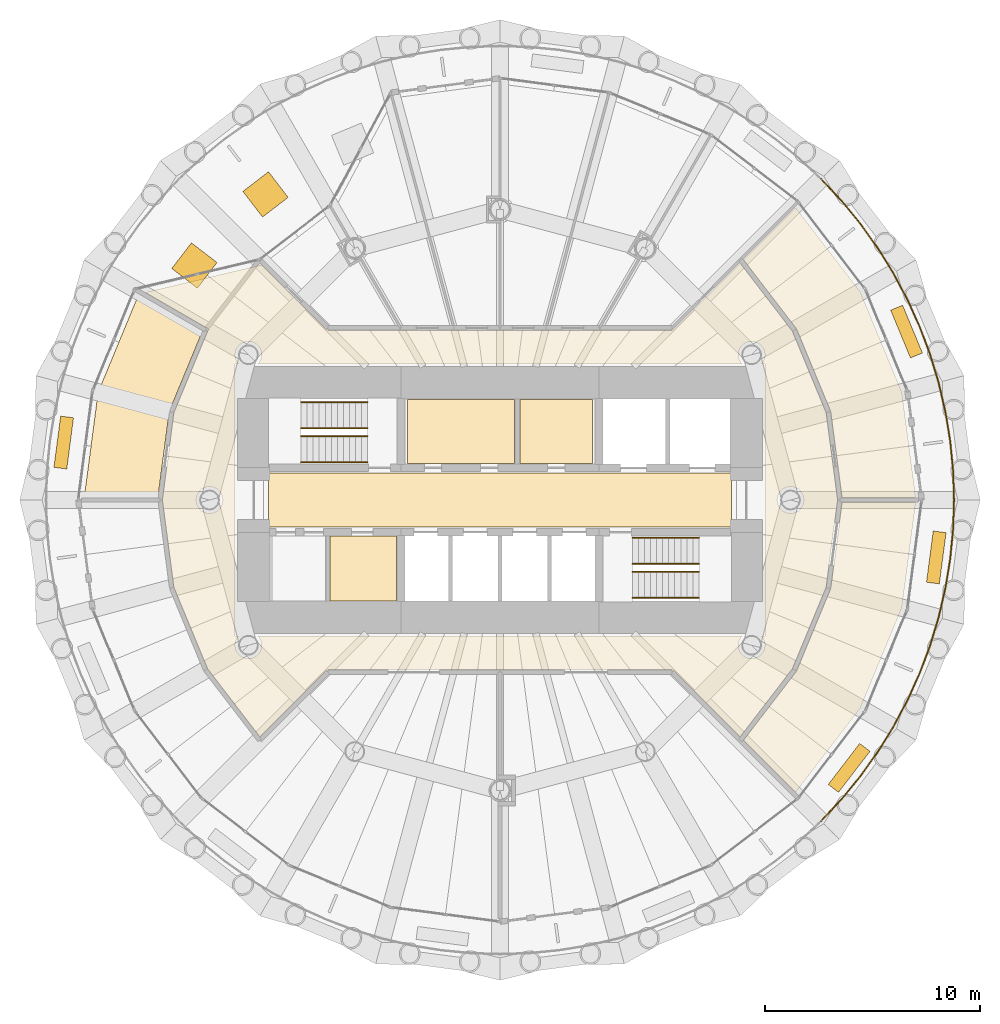
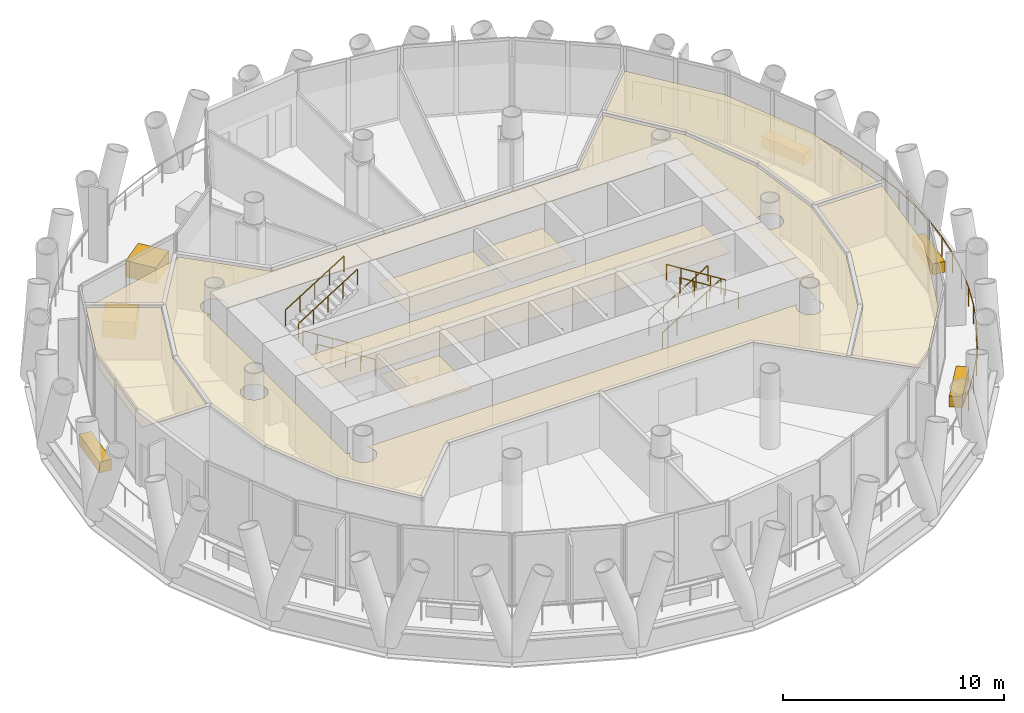
# One storey, part 13 of 14: 14 coverings, 9 railings.
"""IFC4 building model written with IfcOpenShell, lengths in metres."""

from ifc_helpers import new_model, si_unit, direction, frame, origin, origin_2d, place, context, subcontext, project, spatial, polyline, rectangle, circle, outline, extrude, material, layer, layer_set, type_object, element, save


model = new_model("IFC4")

# Units and contexts
model_context = context("Model", 3, precision=1e-05, world=origin(), true_north=direction((0.0, 1.0)))
body_context = subcontext(model_context, "Body", "Model", "MODEL_VIEW")
ifc_project = project(units=[si_unit("LENGTHUNIT", "METRE"), si_unit("AREAUNIT", "SQUARE_METRE"), si_unit("VOLUMEUNIT", "CUBIC_METRE"), si_unit("PLANEANGLEUNIT", "RADIAN"), si_unit("MASSUNIT", "GRAM", prefix="KILO")], contexts=[model_context])

# Site, building, storey
site_placement = place(None, origin())
site = spatial("IfcSite", under=ifc_project, at=site_placement, CompositionType="ELEMENT")
building_placement = place(site_placement, origin())
building = spatial("IfcBuilding", under=site, at=building_placement, Name="Qaws Media Tower", CompositionType="ELEMENT")
storey_placement = place(building_placement, frame((0.0, 0.0, 261.199951171875)))
storey = spatial("IfcBuildingStorey", under=building, at=storey_placement, Name="L60", CompositionType="ELEMENT", Elevation=261.199951171875)

# Covering
ifc_material_1 = material(Name="40 perforated acoustic panels with mineral wool backing, suspended", Category="mineral fibre")
ifc_layer_1 = layer(ifc_material_1, 0.0400390625)
ifc_layer_set_1 = layer_set([ifc_layer_1], Name="Acoustic panel ceiling 40")
covering_type_1 = type_object("IfcCoveringType", Name="Acoustic panel ceiling 40", PredefinedType="CEILING", material=ifc_layer_set_1)
covering_1_placement = place(storey_placement, frame((0.0, 0.0, 2.85009765625)))
element("IfcCovering", 1, at=covering_1_placement, inside=storey, type_object=covering_type_1, Name="CL3 ceiling L60-09 Executive meeting room", PredefinedType="CEILING", context=body_context, shape_type="SweptSolid", body=[
    extrude(outline(polyline([(41.323486328125, 55.00439453125), (43.2119140625, 59.562744140625), (46.175048828125, 57.851806640625), (44.62890625, 54.11865234375), (44.101318359375, 50.112548828125), (40.6796875, 50.112548828125), (41.323486328125, 55.00439453125)])), origin(), (0.0, 0.0, 1.0), 0.0400390625),
])

# Railing
ifc_material_2 = material(Name="Stainless steel and glass guard", Category="steel")
railing_type_1 = type_object("IfcRailingType", Name="Balcony guard 1100", PredefinedType="GUARDRAIL", material=ifc_material_2)
railing_placement = place(storey_placement, frame((74.919921875, 35.080078125, 0.0)))
element("IfcRailing", 2, at=railing_placement, inside=storey, type_object=railing_type_1, Name="GR1 balcony guard L60-4", PredefinedType="GUARDRAIL", context=body_context, shape_type="SweptSolid", body=[
    extrude(circle(Radius=0.02392578125, at=origin_2d()), frame((0.0, 0.0, 1.076171875), z_axis=(0.683564617913, 0.72989000071, 0.0), x_axis=(-0.72989000071, 0.683564617913, 0.0)), (0.0, 0.0, 1.0), 1.380859375),
    extrude(circle(Radius=0.02392578125, at=origin_2d()), frame((0.94384765625, 1.0078125, 1.076171875), z_axis=(0.634479187344, 0.772939946456, 0.0), x_axis=(-0.772939946456, 0.634479187344, 0.0)), (0.0, 0.0, 1.0), 1.380615234375),
    extrude(circle(Radius=0.02392578125, at=origin_2d()), frame((1.81982421875, 2.074951171875, 1.076171875), z_axis=(0.582374871687, 0.812920358232, 0.0), x_axis=(-0.812920358232, 0.582374871687, 0.0)), (0.0, 0.0, 1.0), 1.380859375),
    extrude(circle(Radius=0.02392578125, at=origin_2d()), frame((2.6240234375, 3.197509765625, 1.076171875), z_axis=(0.528185738037, 0.849128863091, 0.0), x_axis=(-0.849128863091, 0.528185738037, 0.0)), (0.0, 0.0, 1.0), 1.380615234375),
    extrude(circle(Radius=0.02392578125, at=origin_2d()), frame((3.353271484375, 4.369873046875, 1.076171875), z_axis=(0.471377271187, 0.881931668673, 0.0), x_axis=(-0.881931668673, 0.471377271187, 0.0)), (0.0, 0.0, 1.0), 1.380859375),
    extrude(circle(Radius=0.02392578125, at=origin_2d()), frame((4.004150390625, 5.587646484375, 1.076171875), z_axis=(0.412723500138, 0.91085636213, 0.0), x_axis=(-0.91085636213, 0.412723500138, 0.0)), (0.0, 0.0, 1.0), 1.380615234375),
    extrude(circle(Radius=0.02392578125, at=origin_2d()), frame((4.573974609375, 6.84521484375, 1.076171875), z_axis=(0.352227723901, 0.935914328619, 0.0), x_axis=(-0.935914328619, 0.352227723901, 0.0)), (0.0, 0.0, 1.0), 1.380615234375),
    extrude(circle(Radius=0.02392578125, at=origin_2d()), frame((5.060302734375, 8.137451171875, 1.076171875), z_axis=(0.290331268033, 0.956926201336, 0.0), x_axis=(-0.956926201336, 0.290331268033, 0.0)), (0.0, 0.0, 1.0), 1.380859375),
    extrude(circle(Radius=0.02392578125, at=origin_2d()), frame((5.461181640625, 9.458740234375, 1.076171875), z_axis=(0.22702839004, 0.973888140453, 0.0), x_axis=(-0.973888140453, 0.22702839004, 0.0)), (0.0, 0.0, 1.0), 1.380859375),
    extrude(circle(Radius=0.02392578125, at=origin_2d()), frame((5.774658203125, 10.803466796875, 1.076171875), z_axis=(0.162850422616, 0.986650768942, 0.0), x_axis=(-0.986650768942, 0.162850422616, 0.0)), (0.0, 0.0, 1.0), 1.380615234375),
    extrude(circle(Radius=0.02392578125, at=origin_2d()), frame((5.99951171875, 12.165771484375, 1.076171875), z_axis=(0.098138043759, 0.995172811308, 0.0), x_axis=(-0.995172811308, 0.098138043759, 0.0)), (0.0, 0.0, 1.0), 1.380615234375),
    extrude(circle(Radius=0.02392578125, at=origin_2d()), frame((6.135009765625, 13.539794921875, 1.076171875), z_axis=(0.032708475661, 0.999464934663, 0.0), x_axis=(-0.999464934663, 0.032708475661, 0.0)), (0.0, 0.0, 1.0), 1.380859375),
    extrude(circle(Radius=0.02392578125, at=origin_2d()), frame((6.18017578125, 14.919921875, 1.076171875), z_axis=(-0.032708475661, 0.999464934663, 0.0), x_axis=(-0.999464934663, -0.032708475661, 0.0)), (0.0, 0.0, 1.0), 1.380859375),
    extrude(circle(Radius=0.02392578125, at=origin_2d()), frame((6.135009765625, 16.300048828125, 1.076171875), z_axis=(-0.098138043759, 0.995172811308, 0.0), x_axis=(-0.995172811308, -0.098138043759, 0.0)), (0.0, 0.0, 1.0), 1.380615234375),
    extrude(circle(Radius=0.02392578125, at=origin_2d()), frame((5.99951171875, 17.674072265625, 1.076171875), z_axis=(-0.162850422616, 0.986650768942, 0.0), x_axis=(-0.986650768942, -0.162850422616, 0.0)), (0.0, 0.0, 1.0), 1.380615234375),
    extrude(circle(Radius=0.02392578125, at=origin_2d()), frame((5.774658203125, 19.036376953125, 1.076171875), z_axis=(-0.22702839004, 0.973888140453, 0.0), x_axis=(-0.973888140453, -0.22702839004, 0.0)), (0.0, 0.0, 1.0), 1.380859375),
    extrude(circle(Radius=0.02392578125, at=origin_2d()), frame((5.461181640625, 20.381103515625, 1.076171875), z_axis=(-0.290331268033, 0.956926201336, 0.0), x_axis=(-0.956926201336, -0.290331268033, 0.0)), (0.0, 0.0, 1.0), 1.380859375),
    extrude(circle(Radius=0.02392578125, at=origin_2d()), frame((5.060302734375, 21.702392578125, 1.076171875), z_axis=(-0.352227723901, 0.935914328619, 0.0), x_axis=(-0.935914328619, -0.352227723901, 0.0)), (0.0, 0.0, 1.0), 1.380615234375),
    extrude(circle(Radius=0.02392578125, at=origin_2d()), frame((4.573974609375, 22.99462890625, 1.076171875), z_axis=(-0.412723500138, 0.91085636213, 0.0), x_axis=(-0.91085636213, -0.412723500138, 0.0)), (0.0, 0.0, 1.0), 1.380615234375),
    extrude(circle(Radius=0.02392578125, at=origin_2d()), frame((4.004150390625, 24.252197265625, 1.076171875), z_axis=(-0.471377271187, 0.881931668673, 0.0), x_axis=(-0.881931668673, -0.471377271187, 0.0)), (0.0, 0.0, 1.0), 1.380859375),
    extrude(circle(Radius=0.02392578125, at=origin_2d()), frame((3.353271484375, 25.469970703125, 1.076171875), z_axis=(-0.528185738037, 0.849128863091, 0.0), x_axis=(-0.849128863091, -0.528185738037, 0.0)), (0.0, 0.0, 1.0), 1.380615234375),
    extrude(circle(Radius=0.02392578125, at=origin_2d()), frame((2.6240234375, 26.642333984375, 1.076171875), z_axis=(-0.582374871687, 0.812920358232, 0.0), x_axis=(-0.812920358232, -0.582374871687, 0.0)), (0.0, 0.0, 1.0), 1.380859375),
    extrude(circle(Radius=0.02392578125, at=origin_2d()), frame((1.81982421875, 27.764892578125, 1.076171875), z_axis=(-0.634479187344, 0.772939946456, 0.0), x_axis=(-0.772939946456, -0.634479187344, 0.0)), (0.0, 0.0, 1.0), 1.380615234375),
    extrude(circle(Radius=0.02392578125, at=origin_2d()), frame((0.94384765625, 28.83203125, 1.076171875), z_axis=(-0.683564617913, 0.72989000071, 0.0), x_axis=(-0.72989000071, -0.683564617913, 0.0)), (0.0, 0.0, 1.0), 1.380859375),
    extrude(circle(Radius=0.02099609375, at=origin_2d()), origin(), (0.0, 0.0, 1.0), 1.052001953125),
    extrude(circle(Radius=0.02099609375, at=origin_2d()), frame((0.94384765625, 1.0078125, 0.0)), (0.0, 0.0, 1.0), 1.052001953125),
    extrude(circle(Radius=0.02099609375, at=origin_2d()), frame((1.81982421875, 2.074951171875, 0.0)), (0.0, 0.0, 1.0), 1.052001953125),
    extrude(circle(Radius=0.02099609375, at=origin_2d()), frame((2.6240234375, 3.197509765625, 0.0)), (0.0, 0.0, 1.0), 1.052001953125),
    extrude(circle(Radius=0.02099609375, at=origin_2d()), frame((3.353271484375, 4.369873046875, 0.0)), (0.0, 0.0, 1.0), 1.052001953125),
    extrude(circle(Radius=0.02099609375, at=origin_2d()), frame((4.004150390625, 5.587646484375, 0.0)), (0.0, 0.0, 1.0), 1.052001953125),
    extrude(circle(Radius=0.02099609375, at=origin_2d()), frame((4.573974609375, 6.84521484375, 0.0)), (0.0, 0.0, 1.0), 1.052001953125),
    extrude(circle(Radius=0.02099609375, at=origin_2d()), frame((5.060302734375, 8.137451171875, 0.0)), (0.0, 0.0, 1.0), 1.052001953125),
    extrude(circle(Radius=0.02099609375, at=origin_2d()), frame((5.461181640625, 9.458740234375, 0.0)), (0.0, 0.0, 1.0), 1.052001953125),
    extrude(circle(Radius=0.02099609375, at=origin_2d()), frame((5.774658203125, 10.803466796875, 0.0)), (0.0, 0.0, 1.0), 1.052001953125),
    extrude(circle(Radius=0.02099609375, at=origin_2d()), frame((5.99951171875, 12.165771484375, 0.0)), (0.0, 0.0, 1.0), 1.052001953125),
    extrude(circle(Radius=0.02099609375, at=origin_2d()), frame((6.135009765625, 13.539794921875, 0.0)), (0.0, 0.0, 1.0), 1.052001953125),
    extrude(circle(Radius=0.02099609375, at=origin_2d()), frame((6.18017578125, 14.919921875, 0.0)), (0.0, 0.0, 1.0), 1.052001953125),
    extrude(circle(Radius=0.02099609375, at=origin_2d()), frame((6.135009765625, 16.300048828125, 0.0)), (0.0, 0.0, 1.0), 1.052001953125),
    extrude(circle(Radius=0.02099609375, at=origin_2d()), frame((5.99951171875, 17.674072265625, 0.0)), (0.0, 0.0, 1.0), 1.052001953125),
    extrude(circle(Radius=0.02099609375, at=origin_2d()), frame((5.774658203125, 19.036376953125, 0.0)), (0.0, 0.0, 1.0), 1.052001953125),
    extrude(circle(Radius=0.02099609375, at=origin_2d()), frame((5.461181640625, 20.381103515625, 0.0)), (0.0, 0.0, 1.0), 1.052001953125),
    extrude(circle(Radius=0.02099609375, at=origin_2d()), frame((5.060302734375, 21.702392578125, 0.0)), (0.0, 0.0, 1.0), 1.052001953125),
    extrude(circle(Radius=0.02099609375, at=origin_2d()), frame((4.573974609375, 22.99462890625, 0.0)), (0.0, 0.0, 1.0), 1.052001953125),
    extrude(circle(Radius=0.02099609375, at=origin_2d()), frame((4.004150390625, 24.252197265625, 0.0)), (0.0, 0.0, 1.0), 1.052001953125),
    extrude(circle(Radius=0.02099609375, at=origin_2d()), frame((3.353271484375, 25.469970703125, 0.0)), (0.0, 0.0, 1.0), 1.052001953125),
    extrude(circle(Radius=0.02099609375, at=origin_2d()), frame((2.6240234375, 26.642333984375, 0.0)), (0.0, 0.0, 1.0), 1.052001953125),
    extrude(circle(Radius=0.02099609375, at=origin_2d()), frame((1.81982421875, 27.764892578125, 0.0)), (0.0, 0.0, 1.0), 1.052001953125),
    extrude(circle(Radius=0.02099609375, at=origin_2d()), frame((0.94384765625, 28.83203125, 0.0)), (0.0, 0.0, 1.0), 1.052001953125),
    extrude(circle(Radius=0.02099609375, at=origin_2d()), frame((0.0, 29.83984375, 0.0)), (0.0, 0.0, 1.0), 1.052001953125),
])

# Coverings
ifc_material_3 = material(Name="600 x 600 mineral fibre tiles in exposed grid, suspended", Category="mineral fibre")
ifc_layer_2 = layer(ifc_material_3, 0.02001953125)
ifc_layer_set_2 = layer_set([ifc_layer_2], Name="Mineral fibre tile ceiling 20")
covering_type_2 = type_object("IfcCoveringType", Name="Mineral fibre tile ceiling 20", PredefinedType="CEILING", material=ifc_layer_set_2)
covering_2_placement = place(storey_placement, frame((0.0, 0.0, 2.85009765625)))
element("IfcCovering", 3, at=covering_2_placement, inside=storey, type_object=covering_type_2, Name="CL1 ceiling L60-C07 Gents toilets", PredefinedType="CEILING", context=body_context, shape_type="SweptSolid", body=[
    extrude(outline(polyline([(55.695068359375, 51.695068359375), (55.695068359375, 54.679931640625), (60.6845703125, 54.679931640625), (60.6845703125, 51.695068359375), (55.695068359375, 51.695068359375)])), origin(), (0.0, 0.0, 1.0), 0.02001953125),
])
covering_3_placement = place(storey_placement, frame((0.0, 0.0, 2.85009765625)))
element("IfcCovering", 4, at=covering_3_placement, inside=storey, type_object=covering_type_2, Name="CL1 ceiling L60-C08 Ladies toilets", PredefinedType="CEILING", context=body_context, shape_type="SweptSolid", body=[
    extrude(outline(polyline([(60.924560546875, 51.695068359375), (60.924560546875, 54.679931640625), (64.304931640625, 54.679931640625), (64.304931640625, 51.695068359375), (60.924560546875, 51.695068359375)])), origin(), (0.0, 0.0, 1.0), 0.02001953125),
])
covering_4_placement = place(storey_placement, frame((0.0, 0.0, 2.85009765625)))
element("IfcCovering", 5, at=covering_4_placement, inside=storey, type_object=covering_type_2, Name="CL1 ceiling L60-01 Corridor", PredefinedType="CEILING", context=body_context, shape_type="SweptSolid", body=[
    extrude(outline(polyline([(51.953369140625, 57.887451171875), (68.046630859375, 57.887451171875), (71.1611328125, 61.001953125), (73.5849609375, 57.84326171875), (75.152099609375, 54.06005859375), (75.6865234375, 50.0), (75.152099609375, 45.93994140625), (73.5849609375, 42.15673828125), (71.1611328125, 38.998046875), (68.046630859375, 42.112548828125), (51.953369140625, 42.112548828125), (48.8388671875, 38.998046875), (46.4150390625, 42.15673828125), (44.847900390625, 45.93994140625), (44.3134765625, 50.0), (44.847900390625, 54.06005859375), (46.45849609375, 57.947998046875), (43.516845703125, 59.646484375), (48.917236328125, 60.923583984375), (51.953369140625, 57.887451171875)]), holes=[polyline([(72.126220703125, 56.3125), (72.180908203125, 56.37451171875), (72.2255859375, 56.44140625), (72.261474609375, 56.513916015625), (72.287353515625, 56.59033203125), (72.302978515625, 56.66943359375), (72.308349609375, 56.75), (72.302978515625, 56.83056640625), (72.287353515625, 56.90966796875), (72.261474609375, 56.986083984375), (72.2255859375, 57.05859375), (72.180908203125, 57.12548828125), (72.127685546875, 57.186279296875), (72.06689453125, 57.239501953125), (71.999755859375, 57.2841796875), (71.927490234375, 57.320068359375), (71.85107421875, 57.345947265625), (71.77197265625, 57.36181640625), (71.69140625, 57.366943359375), (71.61083984375, 57.36181640625), (71.53173828125, 57.345947265625), (71.455078125, 57.320068359375), (71.3828125, 57.2841796875), (71.315673828125, 57.239501953125), (71.255126953125, 57.186279296875), (71.201904296875, 57.12548828125), (71.156982421875, 57.05859375), (71.121337890625, 56.986083984375), (71.095458984375, 56.90966796875), (71.07958984375, 56.83056640625), (71.07421875, 56.75), (71.07958984375, 56.66943359375), (71.095458984375, 56.59033203125), (71.121337890625, 56.513916015625), (71.156982421875, 56.44140625), (71.201904296875, 56.37451171875), (71.25634765625, 56.3125), (48.74365234375, 56.3125), (48.798095703125, 56.37451171875), (48.843017578125, 56.44140625), (48.878662109375, 56.513916015625), (48.904541015625, 56.59033203125), (48.92041015625, 56.66943359375), (48.92578125, 56.75), (48.92041015625, 56.83056640625), (48.904541015625, 56.90966796875), (48.878662109375, 56.986083984375), (48.843017578125, 57.05859375), (48.798095703125, 57.12548828125), (48.744873046875, 57.186279296875), (48.684326171875, 57.239501953125), (48.6171875, 57.2841796875), (48.544921875, 57.320068359375), (48.46826171875, 57.345947265625), (48.38916015625, 57.36181640625), (48.30859375, 57.366943359375), (48.22802734375, 57.36181640625), (48.14892578125, 57.345947265625), (48.072509765625, 57.320068359375), (48.000244140625, 57.2841796875), (47.93310546875, 57.239501953125), (47.872314453125, 57.186279296875), (47.819091796875, 57.12548828125), (47.7744140625, 57.05859375), (47.738525390625, 56.986083984375), (47.712646484375, 56.90966796875), (47.697021484375, 56.83056640625), (47.691650390625, 56.75), (47.697021484375, 56.66943359375), (47.712646484375, 56.59033203125), (47.738525390625, 56.513916015625), (47.7744140625, 56.44140625), (47.819091796875, 56.37451171875), (47.873779296875, 56.3125), (47.6875, 56.3125), (47.6875, 43.6875), (47.873779296875, 43.6875), (47.819091796875, 43.62548828125), (47.7744140625, 43.55859375), (47.738525390625, 43.486083984375), (47.712646484375, 43.40966796875), (47.697021484375, 43.33056640625), (47.691650390625, 43.25), (47.697021484375, 43.16943359375), (47.712646484375, 43.09033203125), (47.738525390625, 43.013916015625), (47.7744140625, 42.94140625), (47.819091796875, 42.87451171875), (47.872314453125, 42.813720703125), (47.93310546875, 42.760498046875), (48.000244140625, 42.7158203125), (48.072509765625, 42.679931640625), (48.14892578125, 42.654052734375), (48.22802734375, 42.63818359375), (48.30859375, 42.633056640625), (48.38916015625, 42.63818359375), (48.46826171875, 42.654052734375), (48.544921875, 42.679931640625), (48.6171875, 42.7158203125), (48.684326171875, 42.760498046875), (48.744873046875, 42.813720703125), (48.798095703125, 42.87451171875), (48.843017578125, 42.94140625), (48.878662109375, 43.013916015625), (48.904541015625, 43.09033203125), (48.92041015625, 43.16943359375), (48.92578125, 43.25), (48.92041015625, 43.33056640625), (48.904541015625, 43.40966796875), (48.878662109375, 43.486083984375), (48.843017578125, 43.55859375), (48.798095703125, 43.62548828125), (48.74365234375, 43.6875), (71.25634765625, 43.6875), (71.201904296875, 43.62548828125), (71.156982421875, 43.55859375), (71.121337890625, 43.486083984375), (71.095458984375, 43.40966796875), (71.07958984375, 43.33056640625), (71.07421875, 43.25), (71.07958984375, 43.16943359375), (71.095458984375, 43.09033203125), (71.121337890625, 43.013916015625), (71.156982421875, 42.94140625), (71.201904296875, 42.87451171875), (71.255126953125, 42.813720703125), (71.315673828125, 42.760498046875), (71.3828125, 42.7158203125), (71.455078125, 42.679931640625), (71.53173828125, 42.654052734375), (71.61083984375, 42.63818359375), (71.69140625, 42.633056640625), (71.77197265625, 42.63818359375), (71.85107421875, 42.654052734375), (71.927490234375, 42.679931640625), (71.999755859375, 42.7158203125), (72.06689453125, 42.760498046875), (72.127685546875, 42.813720703125), (72.180908203125, 42.87451171875), (72.2255859375, 42.94140625), (72.261474609375, 43.013916015625), (72.287353515625, 43.09033203125), (72.302978515625, 43.16943359375), (72.308349609375, 43.25), (72.302978515625, 43.33056640625), (72.287353515625, 43.40966796875), (72.261474609375, 43.486083984375), (72.2255859375, 43.55859375), (72.180908203125, 43.62548828125), (72.126220703125, 43.6875), (72.3125, 43.6875), (72.3125, 56.3125), (72.126220703125, 56.3125)]), polyline([(47.070068359375, 49.763916015625), (47.095947265625, 49.84033203125), (47.11181640625, 49.91943359375), (47.116943359375, 50.0), (47.11181640625, 50.08056640625), (47.095947265625, 50.15966796875), (47.070068359375, 50.236083984375), (47.0341796875, 50.30859375), (46.989501953125, 50.37548828125), (46.936279296875, 50.436279296875), (46.87548828125, 50.489501953125), (46.80859375, 50.5341796875), (46.736083984375, 50.570068359375), (46.65966796875, 50.595947265625), (46.58056640625, 50.61181640625), (46.5, 50.616943359375), (46.41943359375, 50.61181640625), (46.34033203125, 50.595947265625), (46.263916015625, 50.570068359375), (46.19140625, 50.5341796875), (46.12451171875, 50.489501953125), (46.063720703125, 50.436279296875), (46.010498046875, 50.37548828125), (45.9658203125, 50.30859375), (45.929931640625, 50.236083984375), (45.904052734375, 50.15966796875), (45.88818359375, 50.08056640625), (45.883056640625, 50.0), (45.88818359375, 49.91943359375), (45.904052734375, 49.84033203125), (45.929931640625, 49.763916015625), (45.9658203125, 49.69140625), (46.010498046875, 49.62451171875), (46.063720703125, 49.563720703125), (46.12451171875, 49.510498046875), (46.19140625, 49.4658203125), (46.263916015625, 49.429931640625), (46.34033203125, 49.404052734375), (46.41943359375, 49.38818359375), (46.5, 49.383056640625), (46.58056640625, 49.38818359375), (46.65966796875, 49.404052734375), (46.736083984375, 49.429931640625), (46.80859375, 49.4658203125), (46.87548828125, 49.510498046875), (46.936279296875, 49.563720703125), (46.989501953125, 49.62451171875), (47.0341796875, 49.69140625), (47.070068359375, 49.763916015625)]), polyline([(74.095947265625, 49.84033203125), (74.11181640625, 49.91943359375), (74.116943359375, 50.0), (74.11181640625, 50.08056640625), (74.095947265625, 50.15966796875), (74.070068359375, 50.236083984375), (74.0341796875, 50.30859375), (73.989501953125, 50.37548828125), (73.936279296875, 50.436279296875), (73.87548828125, 50.489501953125), (73.80859375, 50.5341796875), (73.736083984375, 50.570068359375), (73.65966796875, 50.595947265625), (73.58056640625, 50.61181640625), (73.5, 50.616943359375), (73.41943359375, 50.61181640625), (73.34033203125, 50.595947265625), (73.263916015625, 50.570068359375), (73.19140625, 50.5341796875), (73.12451171875, 50.489501953125), (73.063720703125, 50.436279296875), (73.010498046875, 50.37548828125), (72.9658203125, 50.30859375), (72.929931640625, 50.236083984375), (72.904052734375, 50.15966796875), (72.88818359375, 50.08056640625), (72.883056640625, 50.0), (72.88818359375, 49.91943359375), (72.904052734375, 49.84033203125), (72.929931640625, 49.763916015625), (72.9658203125, 49.69140625), (73.010498046875, 49.62451171875), (73.063720703125, 49.563720703125), (73.12451171875, 49.510498046875), (73.19140625, 49.4658203125), (73.263916015625, 49.429931640625), (73.34033203125, 49.404052734375), (73.41943359375, 49.38818359375), (73.5, 49.383056640625), (73.58056640625, 49.38818359375), (73.65966796875, 49.404052734375), (73.736083984375, 49.429931640625), (73.80859375, 49.4658203125), (73.87548828125, 49.510498046875), (73.936279296875, 49.563720703125), (73.989501953125, 49.62451171875), (74.0341796875, 49.69140625), (74.070068359375, 49.763916015625), (74.095947265625, 49.84033203125)])]), origin(), (0.0, 0.0, 1.0), 0.02001953125),
])
covering_5_placement = place(storey_placement, frame((0.0, 0.0, 2.85009765625)))
element("IfcCovering", 6, at=covering_5_placement, inside=storey, type_object=covering_type_2, Name="CL1 ceiling L60-12 Executive sitting room", PredefinedType="CEILING", context=body_context, shape_type="SweptSolid", body=[
    extrude(outline(polyline([(78.676513671875, 44.99560546875), (76.744873046875, 40.33251953125), (73.7412109375, 36.41796875), (71.321533203125, 38.83740234375), (73.781494140625, 42.043212890625), (75.37109375, 45.88134765625), (75.898681640625, 49.887451171875), (79.3203125, 49.887451171875), (78.676513671875, 44.99560546875)])), origin(), (0.0, 0.0, 1.0), 0.02001953125),
])
ifc_material_4 = material(Name="Precast concrete planter with trailing planting", Category="concrete")
ifc_layer_3 = layer(ifc_material_4, 0.60009765625)
ifc_layer_set_3 = layer_set([ifc_layer_3], Name="Planter 2400x600")
covering_type_3 = type_object("IfcCoveringType", Name="Planter 2400x600", PredefinedType="USERDEFINED", material=ifc_layer_set_3)
for number, where, z_axis, x_axis, name in (
    (7, (78.893310546875, 57.825927734375, 0.0), (0.0, 0.0, 1.0), (-0.382683432365, 0.923879532511, 0.0), "PL1 balcony planter L60-01"),
    (8, (39.724853515625, 52.669189453125, 0.0), (0.0, 0.0, 1.0), (-0.13052619222, -0.991444861374, 0.0), "PL1 balcony planter L60-06"),
    (9, (76.22412109375, 37.55078125, 0.0), (0.0, 0.0, 1.0), (0.608761429009, 0.793353340291, 0.0), "PL1 balcony planter L60-11"),
    (10, (80.275146484375, 47.330810546875, 0.0), (0.0, 0.0, 1.0), (0.13052619222, 0.991444861374, 0.0), "PL1 balcony planter L60-12"),
):
    element("IfcCovering", number, at=place(storey_placement, frame(where, z_axis=z_axis, x_axis=x_axis)), inside=storey, type_object=covering_type_3, Name=name, ObjectType="PLANTER", PredefinedType="USERDEFINED", context=body_context, shape_type="SweptSolid", body=[
        extrude(rectangle(XDim=2.39990234375, YDim=0.60009765625, at=origin_2d()), origin(), (0.0, 0.0, 1.0), 0.60009765625),
    ])
ifc_material_5 = material(Name="Two layers 12.5 moisture-resistant plasterboard on suspended metal furring", Category="gypsum")
ifc_layer_4 = layer(ifc_material_5, 0.02490234375)
ifc_layer_set_4 = layer_set([ifc_layer_4], Name="Plasterboard ceiling 25")
covering_type_4 = type_object("IfcCoveringType", Name="Plasterboard ceiling 25", PredefinedType="CEILING", material=ifc_layer_set_4)
covering_6_placement = place(storey_placement, frame((0.0, 0.0, 2.85009765625)))
element("IfcCovering", 11, at=covering_6_placement, inside=storey, type_object=covering_type_4, Name="CL2 ceiling L60-C01 Lift lobby", PredefinedType="CEILING", context=body_context, shape_type="SweptSolid", body=[
    extrude(outline(polyline([(49.25, 48.75), (49.25, 51.25), (70.75, 51.25), (70.75, 48.75), (49.25, 48.75)])), origin(), (0.0, 0.0, 1.0), 0.02490234375),
])
covering_7_placement = place(storey_placement, frame((0.0, 0.0, 2.85009765625)))
element("IfcCovering", 12, at=covering_7_placement, inside=storey, type_object=covering_type_4, Name="CL2 ceiling L60-02 Chairman's office", PredefinedType="CEILING", context=body_context, shape_type="SweptSolid", body=[
    extrude(outline(polyline([(76.744873046875, 59.66748046875), (78.676513671875, 55.00439453125), (79.3203125, 50.112548828125), (75.898681640625, 50.112548828125), (75.37109375, 54.11865234375), (73.781494140625, 57.956787109375), (71.321533203125, 61.16259765625), (73.7412109375, 63.58203125), (76.744873046875, 59.66748046875)])), origin(), (0.0, 0.0, 1.0), 0.02490234375),
])
covering_8_placement = place(storey_placement, frame((0.0, 0.0, 2.85009765625)))
element("IfcCovering", 13, at=covering_8_placement, inside=storey, type_object=covering_type_4, Name="CL2 ceiling L60-C05 Accessible WC", PredefinedType="CEILING", context=body_context, shape_type="SweptSolid", body=[
    extrude(outline(polyline([(52.10009765625, 45.300048828125), (52.10009765625, 48.324951171875), (55.199951171875, 48.324951171875), (55.199951171875, 45.300048828125), (52.10009765625, 45.300048828125)])), origin(), (0.0, 0.0, 1.0), 0.02490234375),
])

# Railings
ifc_material_6 = material(Name="Steel tube handrail", Category="steel")
railing_type_2 = type_object("IfcRailingType", Name="Stair handrail 900", PredefinedType="HANDRAIL", material=ifc_material_6)
for number, where, name in (
    (14, (53.840087890625, 51.75, 0.175048828125), "HR1 handrail S1 flight 1 L60"),
    (15, (53.840087890625, 52.9599609375, 0.175048828125), "HR1 handrail S1 flight 1 L60"),
):
    element("IfcRailing", number, at=place(storey_placement, frame(where)), inside=storey, type_object=railing_type_2, Name=name, PredefinedType="HANDRAIL", context=body_context, shape_type="SweptSolid", body=[
        extrude(circle(Radius=0.02392578125, at=origin_2d()), frame((0.0, 0.0, 0.8759765625), z_axis=(-0.847998304005, 0.0, 0.529998940003), x_axis=(0.0, -1.0, 0.0)), (0.0, 0.0, 1.0), 3.632080078125),
        extrude(circle(Radius=0.02099609375, at=origin_2d()), origin(), (0.0, 0.0, 1.0), 0.851806640625),
        extrude(circle(Radius=0.02099609375, at=origin_2d()), frame((-0.77001953125, 0.0, 0.481201171875)), (0.0, 0.0, 1.0), 0.851806640625),
        extrude(circle(Radius=0.02099609375, at=origin_2d()), frame((-1.5400390625, 0.0, 0.96240234375)), (0.0, 0.0, 1.0), 0.851806640625),
        extrude(circle(Radius=0.02099609375, at=origin_2d()), frame((-2.31005859375, 0.0, 1.44384765625)), (0.0, 0.0, 1.0), 0.851806640625),
        extrude(circle(Radius=0.02099609375, at=origin_2d()), frame((-3.080078125, 0.0, 1.925048828125)), (0.0, 0.0, 1.0), 0.851806640625),
    ])
for number, where, name in (
    (16, (50.760009765625, 54.550048828125, 2.275146484375), "HR1 handrail S1 flight 2 L60"),
    (17, (50.760009765625, 53.340087890625, 2.275146484375), "HR1 handrail S1 flight 2 L60"),
):
    element("IfcRailing", number, at=place(storey_placement, frame(where)), inside=storey, type_object=railing_type_2, Name=name, PredefinedType="HANDRAIL", context=body_context, shape_type="SweptSolid", body=[
        extrude(circle(Radius=0.02392578125, at=origin_2d()), frame((0.0, 0.0, 0.8759765625), z_axis=(0.848028513186, 0.0, 0.529950602248), x_axis=(0.0, 1.0, 0.0)), (0.0, 0.0, 1.0), 3.632080078125),
        extrude(circle(Radius=0.02099609375, at=origin_2d()), origin(), (0.0, 0.0, 1.0), 0.851806640625),
        extrude(circle(Radius=0.02099609375, at=origin_2d()), frame((0.77001953125, 0.0, 0.481201171875)), (0.0, 0.0, 1.0), 0.851806640625),
        extrude(circle(Radius=0.02099609375, at=origin_2d()), frame((1.5400390625, 0.0, 0.96240234375)), (0.0, 0.0, 1.0), 0.851806640625),
        extrude(circle(Radius=0.02099609375, at=origin_2d()), frame((2.31005859375, 0.0, 1.443603515625)), (0.0, 0.0, 1.0), 0.851806640625),
        extrude(circle(Radius=0.02099609375, at=origin_2d()), frame((3.080078125, 0.0, 1.9248046875)), (0.0, 0.0, 1.0), 0.851806640625),
    ])
for number, where, name in (
    (18, (66.159912109375, 48.25, 0.175048828125), "HR1 handrail S2 flight 1 L60"),
    (19, (66.159912109375, 47.0400390625, 0.175048828125), "HR1 handrail S2 flight 1 L60"),
):
    element("IfcRailing", number, at=place(storey_placement, frame(where)), inside=storey, type_object=railing_type_2, Name=name, PredefinedType="HANDRAIL", context=body_context, shape_type="SweptSolid", body=[
        extrude(circle(Radius=0.02392578125, at=origin_2d()), frame((0.0, 0.0, 0.8759765625), z_axis=(0.847998304005, 0.0, 0.529998940003), x_axis=(0.0, 1.0, 0.0)), (0.0, 0.0, 1.0), 3.632080078125),
        extrude(circle(Radius=0.02099609375, at=origin_2d()), origin(), (0.0, 0.0, 1.0), 0.851806640625),
        extrude(circle(Radius=0.02099609375, at=origin_2d()), frame((0.77001953125, 0.0, 0.481201171875)), (0.0, 0.0, 1.0), 0.851806640625),
        extrude(circle(Radius=0.02099609375, at=origin_2d()), frame((1.5400390625, 0.0, 0.96240234375)), (0.0, 0.0, 1.0), 0.851806640625),
        extrude(circle(Radius=0.02099609375, at=origin_2d()), frame((2.31005859375, 0.0, 1.44384765625)), (0.0, 0.0, 1.0), 0.851806640625),
        extrude(circle(Radius=0.02099609375, at=origin_2d()), frame((3.080078125, 0.0, 1.925048828125)), (0.0, 0.0, 1.0), 0.851806640625),
    ])
for number, where, name in (
    (20, (69.239990234375, 45.449951171875, 2.275146484375), "HR1 handrail S2 flight 2 L60"),
    (21, (69.239990234375, 46.659912109375, 2.275146484375), "HR1 handrail S2 flight 2 L60"),
):
    element("IfcRailing", number, at=place(storey_placement, frame(where)), inside=storey, type_object=railing_type_2, Name=name, PredefinedType="HANDRAIL", context=body_context, shape_type="SweptSolid", body=[
        extrude(circle(Radius=0.02392578125, at=origin_2d()), frame((0.0, 0.0, 0.8759765625), z_axis=(-0.848028513186, 0.0, 0.529950602248), x_axis=(0.0, -1.0, 0.0)), (0.0, 0.0, 1.0), 3.632080078125),
        extrude(circle(Radius=0.02099609375, at=origin_2d()), origin(), (0.0, 0.0, 1.0), 0.851806640625),
        extrude(circle(Radius=0.02099609375, at=origin_2d()), frame((-0.77001953125, 0.0, 0.481201171875)), (0.0, 0.0, 1.0), 0.851806640625),
        extrude(circle(Radius=0.02099609375, at=origin_2d()), frame((-1.5400390625, 0.0, 0.96240234375)), (0.0, 0.0, 1.0), 0.851806640625),
        extrude(circle(Radius=0.02099609375, at=origin_2d()), frame((-2.31005859375, 0.0, 1.443603515625)), (0.0, 0.0, 1.0), 0.851806640625),
        extrude(circle(Radius=0.02099609375, at=origin_2d()), frame((-3.080078125, 0.0, 1.9248046875)), (0.0, 0.0, 1.0), 0.851806640625),
    ])

# Coverings
ifc_material_7 = material(Name="Precast concrete tree planter", Category="concrete")
ifc_layer_5 = layer(ifc_material_7, 0.89990234375)
ifc_layer_set_5 = layer_set([ifc_layer_5], Name="Tree planter 1500")
covering_type_5 = type_object("IfcCoveringType", Name="Tree planter 1500", PredefinedType="USERDEFINED", material=ifc_layer_set_5)
for number, where, z_axis, x_axis, name in (
    (22, (49.103271484375, 64.200927734375, 0.0), (0.0, 0.0, 1.0), (-0.608761429009, 0.793353340291, 0.0), "PL2 sky garden tree planter L60-2"),
    (23, (45.799072265625, 60.896728515625, 0.0), (0.0, 0.0, 1.0), (-0.793353340291, 0.608761429009, 0.0), "PL2 sky garden tree planter L60-3"),
):
    element("IfcCovering", number, at=place(storey_placement, frame(where, z_axis=z_axis, x_axis=x_axis)), inside=storey, type_object=covering_type_5, Name=name, ObjectType="PLANTER", PredefinedType="USERDEFINED", context=body_context, shape_type="SweptSolid", body=[
        extrude(rectangle(XDim=1.5, YDim=1.5, at=origin_2d()), origin(), (0.0, 0.0, 1.0), 0.89990234375),
    ])

save(model, "model.ifc")
